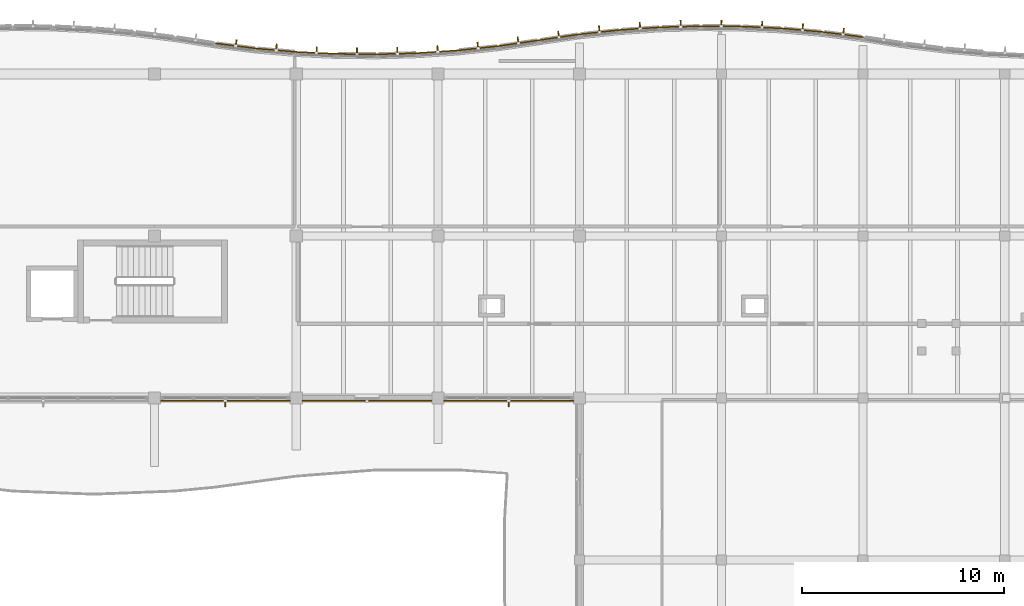
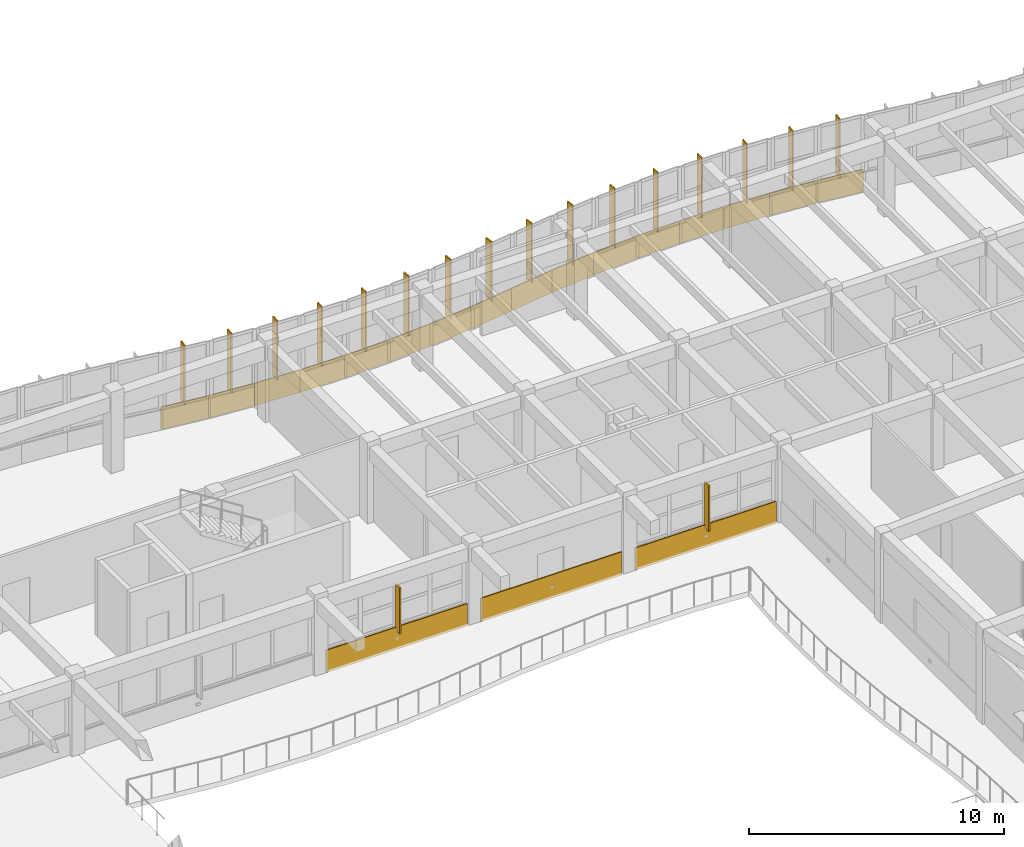
# One storey, part 88 of 89: 19 coverings, 18 shading devices.
"""IFC4 building model written with IfcOpenShell, lengths in metres."""

import ifcopenshell
import ifcopenshell.guid

model = None  # the IFC model being written
_history = None  # IfcOwnerHistory: only IFC2X3 demands one
_inside = {}  # id of a spatial element -> (the spatial element, [elements in it])
_under = {}  # id of a project, library or spatial element -> (it, [spatial elements below it])
_declared = {}  # id of a project -> (the project, [libraries it declares])
_typed = {}  # id of a type object -> (the type object, [elements of that type])
_made_of = {}  # id of a material, layer set ... -> (it, [elements and type objects made of it])


def new_model(schema):
    """Start an empty IFC model of exactly this schema.

    Asked for "IFC4X3", IfcOpenShell would pick the latest addendum, in which some entities
    have other attributes; the version numbers below select the first issue.
    IFC2X3 requires an IfcOwnerHistory on every rooted entity: one is made here for all.
    """
    global model, _history
    if schema == "IFC4X3":
        model = ifcopenshell.file(schema_version=(4, 3, 0, 0))
    else:
        model = ifcopenshell.file(schema=schema)
    _inside.clear()
    _under.clear()
    _declared.clear()
    _typed.clear()
    _made_of.clear()
    _history = None
    if model.schema == "IFC2X3":
        org = make("IfcOrganization", Name="unknown")
        user = make(
            "IfcPersonAndOrganization",
            ThePerson=make("IfcPerson", FamilyName="unknown"),
            TheOrganization=org,
        )
        app = make(
            "IfcApplication",
            ApplicationDeveloper=org,
            Version="unknown",
            ApplicationFullName="unknown",
            ApplicationIdentifier="unknown",
        )
        _history = make(
            "IfcOwnerHistory",
            OwningUser=user,
            OwningApplication=app,
            ChangeAction="ADDED",
            CreationDate=0,
        )
    return model


def make(cls, **values):
    """One entity of the class cls with the attributes given. An attribute that is None is left unset."""
    return model.create_entity(
        cls, **{name: value for name, value in values.items() if value is not None}
    )


def rooted(cls, **values):
    """An entity with a GlobalId (a new one), such as an element, a storey or a relation."""
    return make(cls, GlobalId=ifcopenshell.guid.new(), OwnerHistory=_history, **values)


def si_unit(unit_type, name, prefix=None):
    """IfcSIUnit, for example si_unit("LENGTHUNIT", "METRE", prefix="MILLI")."""
    return make("IfcSIUnit", UnitType=unit_type, Prefix=prefix, Name=name)


def assignment(units):
    """IfcUnitAssignment: the units of a project."""
    return None if units is None else make("IfcUnitAssignment", Units=units)


def point(xyz):
    """IfcCartesianPoint."""
    return None if xyz is None else make("IfcCartesianPoint", Coordinates=xyz)


def direction(xyz):
    """IfcDirection."""
    return None if xyz is None else make("IfcDirection", DirectionRatios=xyz)


def frame(location, z_axis=None, x_axis=None):
    """IfcAxis2Placement3D, a coordinate frame: its origin and axes. An axis left out is left unset."""
    return make(
        "IfcAxis2Placement3D",
        Location=point(location),
        Axis=direction(z_axis),
        RefDirection=direction(x_axis),
    )


def frame_2d(location, x_axis=None):
    """IfcAxis2Placement2D, a coordinate frame in the plane: its origin and x axis."""
    return make(
        "IfcAxis2Placement2D", Location=point(location), RefDirection=direction(x_axis)
    )


def origin():
    """The frame at (0, 0, 0) with its axes left unset."""
    return frame((0.0, 0.0, 0.0))


def origin_2d():
    """The frame at (0, 0) in the plane with its x axis left unset."""
    return frame_2d((0.0, 0.0))


def place(relative_to, where):
    """IfcLocalPlacement: puts the frame where relative to a parent placement (None: the world)."""
    return make(
        "IfcLocalPlacement", PlacementRelTo=relative_to, RelativePlacement=where
    )


def context(
    kind, dimensions, precision=None, world=None, true_north=None, identifier=None
):
    """IfcGeometricRepresentationContext, for example the 3D "Model" context."""
    return make(
        "IfcGeometricRepresentationContext",
        ContextIdentifier=identifier,
        ContextType=kind,
        CoordinateSpaceDimension=dimensions,
        Precision=precision,
        WorldCoordinateSystem=world,
        TrueNorth=true_north,
    )


def subcontext(parent, identifier, kind, view, scale=None):
    """IfcGeometricRepresentationSubContext, for example "Body" below "Model"."""
    return make(
        "IfcGeometricRepresentationSubContext",
        ContextIdentifier=identifier,
        ContextType=kind,
        ParentContext=parent,
        TargetScale=scale,
        TargetView=view,
    )


def project(units=None, contexts=None):
    """IfcProject with its units and contexts."""
    return rooted(
        "IfcProject",
        Name="project",
        RepresentationContexts=contexts,
        UnitsInContext=assignment(units),
    )


def spatial(cls, under=None, at=None, **own):
    """A site, building, storey or space (cls), placed at a placement, below another one or the project."""
    s = rooted(cls, ObjectPlacement=at, **own)
    if under is not None:
        _under.setdefault(under.id(), (under, []))[1].append(s)
    return s


def polyline(points):
    """IfcPolyline through the points."""
    return make("IfcPolyline", Points=[point(p) for p in points])


def profile(cls, at=None, kind="AREA", **sizes):
    """A parametric profile (cls). Its sizes go by their IFC names, for example OverallWidth=200.0."""
    return make(cls, ProfileType=kind, Position=at, **sizes)


def rectangle(**sizes):
    """IfcRectangleProfileDef."""
    return profile("IfcRectangleProfileDef", **sizes)


def outline(outer, holes=None, kind="AREA"):
    """IfcArbitraryClosedProfileDef: a profile drawn as a closed curve; with holes, ...WithVoids."""
    if holes is None:
        return make("IfcArbitraryClosedProfileDef", ProfileType=kind, OuterCurve=outer)
    return make(
        "IfcArbitraryProfileDefWithVoids",
        ProfileType=kind,
        OuterCurve=outer,
        InnerCurves=holes,
    )


def extrude(swept, where, along, depth):
    """IfcExtrudedAreaSolid: the profile swept, set in the frame where, extruded along a direction by depth."""
    return make(
        "IfcExtrudedAreaSolid",
        SweptArea=swept,
        Position=where,
        ExtrudedDirection=direction(along),
        Depth=depth,
    )


def shape(context_of_items, identifier, shape_type, items):
    """IfcShapeRepresentation: the items that make up one representation, for example the "Body"."""
    return make(
        "IfcShapeRepresentation",
        ContextOfItems=context_of_items,
        RepresentationIdentifier=identifier,
        RepresentationType=shape_type,
        Items=items,
    )


def material(Name=None, Category=None):
    """IfcMaterial."""
    return make("IfcMaterial", Name=Name, Category=Category)


def layer(
    of_material, thickness, ventilated=None, Name=None, Category=None, Priority=None
):
    """IfcMaterialLayer: one layer of a wall or slab, of a material (None: an air gap)."""
    return make(
        "IfcMaterialLayer",
        Material=of_material,
        LayerThickness=thickness,
        IsVentilated=ventilated,
        Name=Name,
        Category=Category,
        Priority=Priority,
    )


def layer_set(layers, Name=None):
    """IfcMaterialLayerSet."""
    return make("IfcMaterialLayerSet", MaterialLayers=layers, LayerSetName=Name)


def made_of(thing, what):
    """Note that an element or type object is made of a material, layer set ...; save() writes the relation."""
    if what is not None:
        _made_of.setdefault(what.id(), (what, []))[1].append(thing)
    return thing


def type_object(cls, material=None, **own):
    """A type object (cls), such as IfcWallType, which elements share."""
    return made_of(rooted(cls, **own), material)


def element(
    cls,
    number,
    at=None,
    inside=None,
    cuts=None,
    type_object=None,
    material=None,
    context=None,
    identifier="Body",
    shape_type=None,
    held_by="IfcProductDefinitionShape",
    body=None,
    shapes=None,
    **own,
):
    """One element of the class cls, such as IfcWall. Its Tag is "e" and its number.

    at: its placement. inside: the storey or other place that contains it. cuts: it is an
    opening in that element (IfcRelVoidsElement). A single representation is given by context,
    identifier, shape_type and body (its items); several are given by shapes. held_by: the class
    of the entity that holds the representations. save() writes the other relations.
    """
    e = rooted(cls, Tag="e%d" % number, ObjectPlacement=at, **own)
    if body is not None:
        shapes = [shape(context, identifier, shape_type, body)]
    if shapes is not None:
        e.Representation = make(held_by, Representations=shapes)
    if inside is not None:
        _inside.setdefault(inside.id(), (inside, []))[1].append(e)
    if cuts is not None:
        rooted(
            "IfcRelVoidsElement", RelatingBuildingElement=cuts, RelatedOpeningElement=e
        )
    if type_object is not None:
        _typed.setdefault(type_object.id(), (type_object, []))[1].append(e)
    return made_of(e, material)


def aggregate(whole, parts):
    """IfcRelAggregates: a whole, such as a stair, and the parts it consists of."""
    return rooted("IfcRelAggregates", RelatingObject=whole, RelatedObjects=parts)


def save(model, path):
    """Write the relations noted so far, then the file.

    IfcRelAggregates (storeys below a building ...), IfcRelContainedInSpatialStructure (elements
    in a storey), IfcRelDefinesByType, IfcRelAssociatesMaterial and IfcRelDeclares: one each for
    every whole, place, type object, material and project.
    """
    for whole, parts in _under.values():
        aggregate(whole, parts)
    for where, things in _inside.values():
        rooted(
            "IfcRelContainedInSpatialStructure",
            RelatedElements=things,
            RelatingStructure=where,
        )
    for kind, things in _typed.values():
        rooted("IfcRelDefinesByType", RelatedObjects=things, RelatingType=kind)
    for what, things in _made_of.values():
        rooted("IfcRelAssociatesMaterial", RelatedObjects=things, RelatingMaterial=what)
    for by, libraries in _declared.values():
        rooted("IfcRelDeclares", RelatingContext=by, RelatedDefinitions=libraries)
    model.write(path)


model = new_model("IFC4")

# Units and contexts
model_context = context("Model", 3, precision=1e-05, world=origin(), true_north=direction((0.0, 1.0)))
body_context = subcontext(model_context, "Body", "Model", "MODEL_VIEW")
ifc_project = project(units=[si_unit("LENGTHUNIT", "METRE"), si_unit("AREAUNIT", "SQUARE_METRE"), si_unit("VOLUMEUNIT", "CUBIC_METRE"), si_unit("PLANEANGLEUNIT", "RADIAN"), si_unit("MASSUNIT", "GRAM", prefix="KILO")], contexts=[model_context])

# Site, building, storey
site_placement = place(None, origin())
site = spatial("IfcSite", under=ifc_project, at=site_placement, CompositionType="ELEMENT")
building_placement = place(site_placement, origin())
building = spatial("IfcBuilding", under=site, at=building_placement, Name="Tonlespit Floodbar School", CompositionType="ELEMENT")
storey_placement = place(building_placement, frame((0.0, 0.0, 4.5)))
storey = spatial("IfcBuildingStorey", under=building, at=storey_placement, Name="L01", CompositionType="ELEMENT", Elevation=4.5)

# Coverings
ifc_material_1 = material(Name="White Architectural Aluminium", Category="aluminium")
ifc_layer_1 = layer(ifc_material_1, 0.050048828125)
ifc_layer_set_1 = layer_set([ifc_layer_1], Name="White Architectural Aluminium")
covering_type = type_object("IfcCoveringType", Name="Cladding_WhiteBand_50", PredefinedType="CLADDING", material=ifc_layer_set_1)
covering_1_placement = place(storey_placement, frame((0.0, 0.0, -0.1201171875)))
element("IfcCovering", 1, at=covering_1_placement, inside=storey, type_object=covering_type, Name="L01 curved white spandrel cladding 0634", PredefinedType="CLADDING", context=body_context, shape_type="SweptSolid", body=[
    extrude(outline(polyline([(130.012451171875, 121.493408203125), (132.012451171875, 121.241455078125), (132.018798828125, 121.291015625), (130.018798828125, 121.543212890625), (130.012451171875, 121.493408203125)])), origin(), (0.0, 0.0, 1.0), 1.070068359375),
])
covering_2_placement = place(storey_placement, frame((0.0, 0.0, -0.1201171875)))
element("IfcCovering", 2, at=covering_2_placement, inside=storey, type_object=covering_type, Name="L01 curved white spandrel cladding 0635", PredefinedType="CLADDING", context=body_context, shape_type="SweptSolid", body=[
    extrude(outline(polyline([(132.0087890625, 121.241943359375), (134.0087890625, 121.068115234375), (134.012939453125, 121.117919921875), (132.012939453125, 121.291748046875), (132.0087890625, 121.241943359375)])), origin(), (0.0, 0.0, 1.0), 1.070068359375),
])
covering_3_placement = place(storey_placement, frame((0.0, 0.0, -0.1201171875)))
element("IfcCovering", 3, at=covering_3_placement, inside=storey, type_object=covering_type, Name="L01 curved white spandrel cladding 0636", PredefinedType="CLADDING", context=body_context, shape_type="SweptSolid", body=[
    extrude(outline(polyline([(134.0048828125, 121.068359375), (136.0048828125, 120.97216796875), (136.007080078125, 121.02197265625), (134.007080078125, 121.118408203125), (134.0048828125, 121.068359375)])), origin(), (0.0, 0.0, 1.0), 1.070068359375),
])
covering_4_placement = place(storey_placement, frame((0.0, 0.0, -0.1201171875)))
element("IfcCovering", 4, at=covering_4_placement, inside=storey, type_object=covering_type, Name="L01 curved white spandrel cladding 0637", PredefinedType="CLADDING", context=body_context, shape_type="SweptSolid", body=[
    extrude(outline(polyline([(136.0009765625, 120.97216796875), (138.0009765625, 120.952880859375), (138.00146484375, 121.0029296875), (136.00146484375, 121.022216796875), (136.0009765625, 120.97216796875)])), origin(), (0.0, 0.0, 1.0), 1.070068359375),
])
covering_5_placement = place(storey_placement, frame((0.0, 0.0, -0.1201171875)))
element("IfcCovering", 5, at=covering_5_placement, inside=storey, type_object=covering_type, Name="L01 curved white spandrel cladding 0638", PredefinedType="CLADDING", context=body_context, shape_type="SweptSolid", body=[
    extrude(outline(polyline([(137.9970703125, 120.952880859375), (139.9970703125, 121.0107421875), (139.99560546875, 121.060791015625), (137.99560546875, 121.0029296875), (137.9970703125, 120.952880859375)])), origin(), (0.0, 0.0, 1.0), 1.070068359375),
])
covering_6_placement = place(storey_placement, frame((0.0, 0.0, -0.1201171875)))
element("IfcCovering", 6, at=covering_6_placement, inside=storey, type_object=covering_type, Name="L01 curved white spandrel cladding 0639", PredefinedType="CLADDING", context=body_context, shape_type="SweptSolid", body=[
    extrude(outline(polyline([(139.993408203125, 121.010498046875), (141.993408203125, 121.1455078125), (141.989990234375, 121.1953125), (139.989990234375, 121.060302734375), (139.993408203125, 121.010498046875)])), origin(), (0.0, 0.0, 1.0), 1.070068359375),
])
covering_7_placement = place(storey_placement, frame((0.0, 0.0, -0.1201171875)))
element("IfcCovering", 7, at=covering_7_placement, inside=storey, type_object=covering_type, Name="L01 curved white spandrel cladding 0640", PredefinedType="CLADDING", context=body_context, shape_type="SweptSolid", body=[
    extrude(outline(polyline([(141.989501953125, 121.14501953125), (143.989501953125, 121.35791015625), (143.984130859375, 121.407470703125), (141.984130859375, 121.19482421875), (141.989501953125, 121.14501953125)])), origin(), (0.0, 0.0, 1.0), 1.070068359375),
])
covering_8_placement = place(storey_placement, frame((0.0, 0.0, -0.1201171875)))
element("IfcCovering", 8, at=covering_8_placement, inside=storey, type_object=covering_type, Name="L01 curved white spandrel cladding 0641", PredefinedType="CLADDING", context=body_context, shape_type="SweptSolid", body=[
    extrude(outline(polyline([(143.985595703125, 121.357421875), (145.985595703125, 121.64892578125), (145.978515625, 121.698486328125), (143.978515625, 121.406982421875), (143.985595703125, 121.357421875)])), origin(), (0.0, 0.0, 1.0), 1.070068359375),
])
covering_9_placement = place(storey_placement, frame((0.0, 0.0, -0.1201171875)))
element("IfcCovering", 9, at=covering_9_placement, inside=storey, type_object=covering_type, Name="L01 curved white spandrel cladding 0642", PredefinedType="CLADDING", context=body_context, shape_type="SweptSolid", body=[
    extrude(outline(polyline([(145.985595703125, 121.64892578125), (147.985595703125, 121.940673828125), (147.978515625, 121.989990234375), (145.978515625, 121.698486328125), (145.985595703125, 121.64892578125)])), origin(), (0.0, 0.0, 1.0), 1.070068359375),
])
covering_10_placement = place(storey_placement, frame((0.0, 0.0, -0.1201171875)))
element("IfcCovering", 10, at=covering_10_placement, inside=storey, type_object=covering_type, Name="L01 curved white spandrel cladding 0643", PredefinedType="CLADDING", context=body_context, shape_type="SweptSolid", body=[
    extrude(outline(polyline([(147.989501953125, 121.94091796875), (149.989501953125, 122.15380859375), (149.984130859375, 122.203369140625), (147.984130859375, 121.99072265625), (147.989501953125, 121.94091796875)])), origin(), (0.0, 0.0, 1.0), 1.070068359375),
])
covering_11_placement = place(storey_placement, frame((0.0, 0.0, -0.1201171875)))
element("IfcCovering", 11, at=covering_11_placement, inside=storey, type_object=covering_type, Name="L01 curved white spandrel cladding 0644", PredefinedType="CLADDING", context=body_context, shape_type="SweptSolid", body=[
    extrude(outline(polyline([(149.993408203125, 122.154052734375), (151.993408203125, 122.2890625), (151.989990234375, 122.339111328125), (149.989990234375, 122.2041015625), (149.993408203125, 122.154052734375)])), origin(), (0.0, 0.0, 1.0), 1.070068359375),
])
covering_12_placement = place(storey_placement, frame((0.0, 0.0, -0.1201171875)))
element("IfcCovering", 12, at=covering_12_placement, inside=storey, type_object=covering_type, Name="L01 curved white spandrel cladding 0645", PredefinedType="CLADDING", context=body_context, shape_type="SweptSolid", body=[
    extrude(outline(polyline([(151.9970703125, 122.289306640625), (153.9970703125, 122.346923828125), (153.99560546875, 122.39697265625), (151.99560546875, 122.33935546875), (151.9970703125, 122.289306640625)])), origin(), (0.0, 0.0, 1.0), 1.070068359375),
])
covering_13_placement = place(storey_placement, frame((0.0, 0.0, -0.1201171875)))
element("IfcCovering", 13, at=covering_13_placement, inside=storey, type_object=covering_type, Name="L01 curved white spandrel cladding 0646", PredefinedType="CLADDING", context=body_context, shape_type="SweptSolid", body=[
    extrude(outline(polyline([(154.0009765625, 122.346923828125), (156.0009765625, 122.327880859375), (156.00146484375, 122.377685546875), (154.00146484375, 122.39697265625), (154.0009765625, 122.346923828125)])), origin(), (0.0, 0.0, 1.0), 1.070068359375),
])
covering_14_placement = place(storey_placement, frame((0.0, 0.0, -0.1201171875)))
element("IfcCovering", 14, at=covering_14_placement, inside=storey, type_object=covering_type, Name="L01 curved white spandrel cladding 0647", PredefinedType="CLADDING", context=body_context, shape_type="SweptSolid", body=[
    extrude(outline(polyline([(156.0048828125, 122.32763671875), (158.0048828125, 122.2314453125), (158.007080078125, 122.28125), (156.007080078125, 122.377685546875), (156.0048828125, 122.32763671875)])), origin(), (0.0, 0.0, 1.0), 1.070068359375),
])
covering_15_placement = place(storey_placement, frame((0.0, 0.0, -0.1201171875)))
element("IfcCovering", 15, at=covering_15_placement, inside=storey, type_object=covering_type, Name="L01 curved white spandrel cladding 0648", PredefinedType="CLADDING", context=body_context, shape_type="SweptSolid", body=[
    extrude(outline(polyline([(158.0087890625, 122.231201171875), (160.0087890625, 122.057373046875), (160.012939453125, 122.107177734375), (158.012939453125, 122.281005859375), (158.0087890625, 122.231201171875)])), origin(), (0.0, 0.0, 1.0), 1.070068359375),
])
covering_16_placement = place(storey_placement, frame((0.0, 0.0, -0.1201171875)))
element("IfcCovering", 16, at=covering_16_placement, inside=storey, type_object=covering_type, Name="L01 curved white spandrel cladding 0649", PredefinedType="CLADDING", context=body_context, shape_type="SweptSolid", body=[
    extrude(outline(polyline([(160.012451171875, 122.056884765625), (162.012451171875, 121.804931640625), (162.018798828125, 121.8544921875), (160.018798828125, 122.1064453125), (160.012451171875, 122.056884765625)])), origin(), (0.0, 0.0, 1.0), 1.070068359375),
])
covering_17_placement = place(storey_placement, frame((0.0, 0.0, -0.1201171875)))
element("IfcCovering", 17, at=covering_17_placement, inside=storey, type_object=covering_type, Name="L01 curved white spandrel cladding 0657", PredefinedType="CLADDING", context=body_context, shape_type="SweptSolid", body=[
    extrude(outline(polyline([(147.699951171875, 103.89990234375), (141.300048828125, 103.89990234375), (141.300048828125, 103.85009765625), (147.699951171875, 103.85009765625), (147.699951171875, 103.89990234375)])), origin(), (0.0, 0.0, 1.0), 1.070068359375),
])
covering_18_placement = place(storey_placement, frame((0.0, 0.0, -0.1201171875)))
element("IfcCovering", 18, at=covering_18_placement, inside=storey, type_object=covering_type, Name="L01 curved white spandrel cladding 0658", PredefinedType="CLADDING", context=body_context, shape_type="SweptSolid", body=[
    extrude(outline(polyline([(140.699951171875, 103.8798828125), (134.300048828125, 103.8798828125), (134.300048828125, 103.830078125), (140.699951171875, 103.830078125), (140.699951171875, 103.8798828125)])), origin(), (0.0, 0.0, 1.0), 1.1201171875),
])
covering_19_placement = place(storey_placement, frame((0.0, 0.0, -0.1201171875)))
element("IfcCovering", 19, at=covering_19_placement, inside=storey, type_object=covering_type, Name="L01 curved white spandrel cladding 0659", PredefinedType="CLADDING", context=body_context, shape_type="SweptSolid", body=[
    extrude(outline(polyline([(133.699951171875, 103.89990234375), (127.300048828125, 103.89990234375), (127.300048828125, 103.85009765625), (133.699951171875, 103.85009765625), (133.699951171875, 103.89990234375)])), origin(), (0.0, 0.0, 1.0), 1.070068359375),
])

# Shading devices
ifc_material_2 = material(Name="Terracotta Anodised Aluminium", Category="masonry")
ifc_layer_2 = layer(ifc_material_2, 0.06005859375)
ifc_layer_set_2 = layer_set([ifc_layer_2], Name="Terracotta Anodised Aluminium")
shading_device_type = type_object("IfcShadingDeviceType", Name="Shading_SolarFin_350", PredefinedType="USERDEFINED", material=ifc_layer_set_2)
for number, where, z_axis, x_axis, name in (
    (20, (131.032470703125, 121.5263671875, 0.800048828125), (0.0, 0.0, 1.0), (0.99215533612, -0.125011155539, 0.0), "L01 vertical solar fin 237"),
    (21, (133.0224609375, 121.314453125, 0.800048828125), (0.0, 0.0, 1.0), (0.996245486492, -0.086573267488, 0.0), "L01 vertical solar fin 238"),
    (22, (135.012451171875, 121.179931640625, 0.800048828125), (0.0, 0.0, 1.0), (0.998842769234, -0.048094930587, 0.0), "L01 vertical solar fin 239"),
    (23, (137.00244140625, 121.12255859375, 0.800048828125), (0.0, 0.0, 1.0), (0.999953926969, -0.009599163462, 0.0), "L01 vertical solar fin 240"),
    (24, (138.992431640625, 121.1416015625, 0.800048828125), (0.0, 0.0, 1.0), (0.999584110869, 0.02883756748, 0.0), "L01 vertical solar fin 241"),
    (25, (140.982421875, 121.237548828125, 0.800048828125), (0.0, 0.0, 1.0), (0.997729639049, 0.067346621018, 0.0), "L01 vertical solar fin 242"),
    (26, (142.972412109375, 121.41064453125, 0.800048828125), (0.0, 0.0, 1.0), (0.99439234017, 0.105753835922, 0.0), "L01 vertical solar fin 243"),
    (27, (144.96240234375, 121.66162109375, 0.800048828125), (0.0, 0.0, 1.0), (0.989537627347, 0.144275029245, 0.0), "L01 vertical solar fin 244"),
    (28, (146.96240234375, 121.953125, 0.800048828125), (0.0, 0.0, 1.0), (0.989537627347, 0.144275029245, 0.0), "L01 vertical solar fin 245"),
    (29, (148.972412109375, 122.20654296875, 0.800048828125), (0.0, 0.0, 1.0), (0.99439234017, 0.105753835922, 0.0), "L01 vertical solar fin 246"),
    (30, (150.982421875, 122.381103515625, 0.800048828125), (0.0, 0.0, 1.0), (0.997729639049, 0.067346621018, 0.0), "L01 vertical solar fin 247"),
    (31, (152.992431640625, 122.47802734375, 0.800048828125), (0.0, 0.0, 1.0), (0.999584110869, 0.02883756748, 0.0), "L01 vertical solar fin 248"),
    (32, (155.00244140625, 122.497314453125, 0.800048828125), (0.0, 0.0, 1.0), (0.999953926969, -0.009599163462, 0.0), "L01 vertical solar fin 249"),
    (33, (157.012451171875, 122.439208984375, 0.800048828125), (0.0, 0.0, 1.0), (0.998842769234, -0.048094930587, 0.0), "L01 vertical solar fin 250"),
    (34, (159.0224609375, 122.3037109375, 0.800048828125), (0.0, 0.0, 1.0), (0.996245486492, -0.086573267488, 0.0), "L01 vertical solar fin 251"),
    (35, (161.032470703125, 122.089599609375, 0.800048828125), (0.0, 0.0, 1.0), (0.99215533612, -0.125011155539, 0.0), "L01 vertical solar fin 252"),
):
    element("IfcShadingDevice", number, at=place(storey_placement, frame(where, z_axis=z_axis, x_axis=x_axis)), inside=storey, type_object=shading_device_type, Name=name, ObjectType="SOLAR FIN", PredefinedType="USERDEFINED", context=body_context, shape_type="SweptSolid", body=[
        extrude(rectangle(XDim=0.06005859375, YDim=0.35009765625, at=origin_2d()), origin(), (0.0, 0.0, 1.0), 2.85009765625),
    ])
for number, where, z_axis, x_axis, name in (
    (36, (144.5, 103.739990234375, 0.7998046875), (0.0, 0.0, 1.0), (-1.0, 0.0, 0.0), "L01 vertical solar fin 260"),
    (37, (130.5, 103.739990234375, 0.7998046875), (0.0, 0.0, 1.0), (-1.0, 0.0, 0.0), "L01 vertical solar fin 261"),
):
    element("IfcShadingDevice", number, at=place(storey_placement, frame(where, z_axis=z_axis, x_axis=x_axis)), inside=storey, type_object=shading_device_type, Name=name, ObjectType="SOLAR FIN", PredefinedType="USERDEFINED", context=body_context, shape_type="SweptSolid", body=[
        extrude(rectangle(XDim=0.06005859375, YDim=0.35009765625, at=origin_2d()), origin(), (0.0, 0.0, 1.0), 2.195068359375),
    ])

save(model, "model.ifc")
